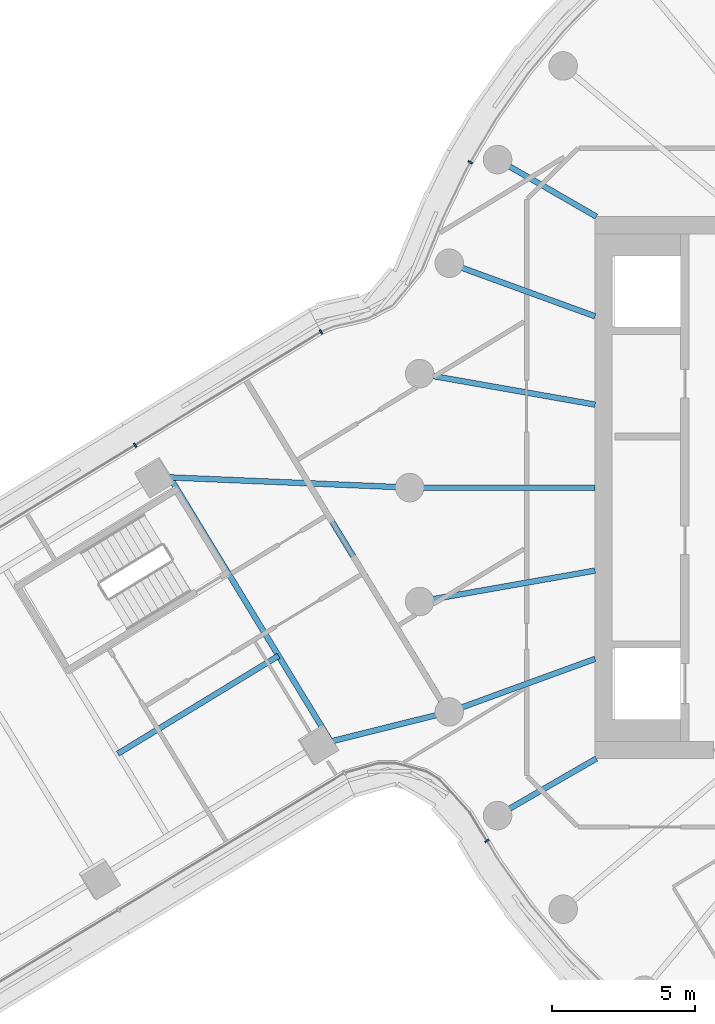
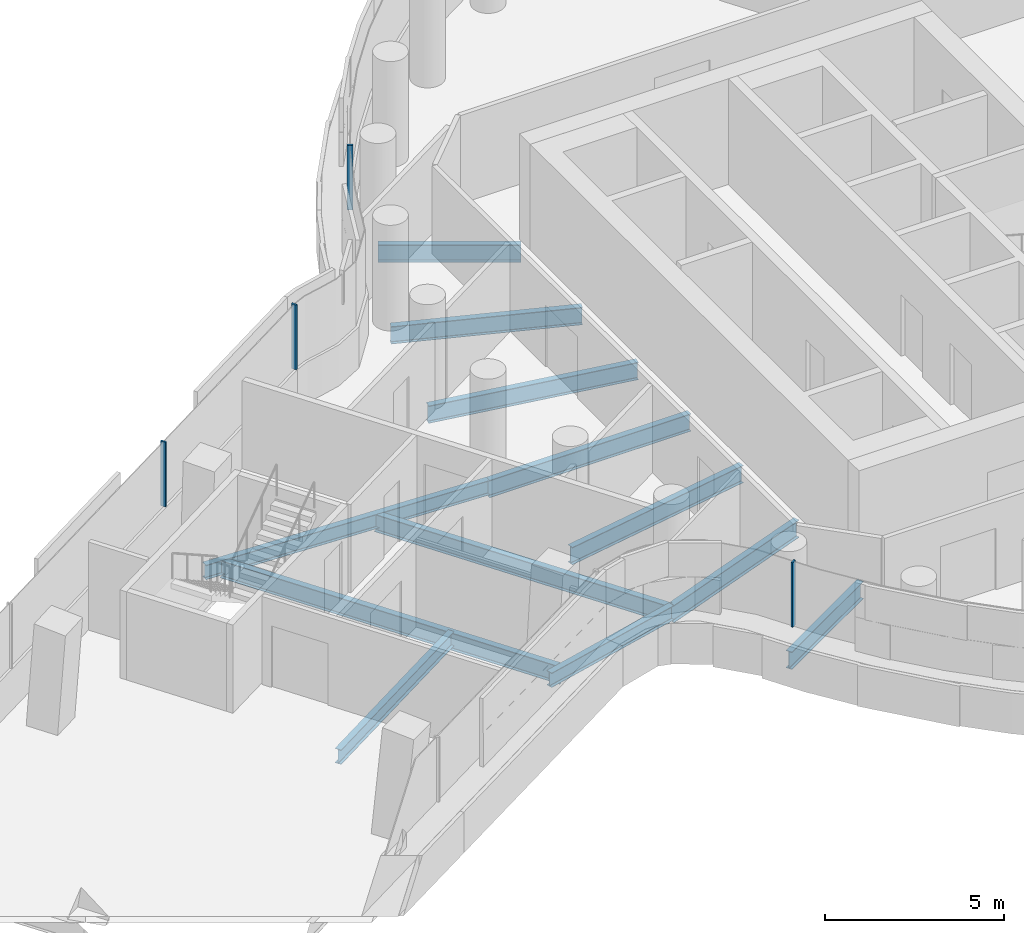
# One storey, part 8 of 35: 12 beams, 4 members, 3 elements without a shape of their own.
"""IFC4 building model written with IfcOpenShell, lengths in metres."""

from ifc_helpers import new_model, si_unit, direction, frame, origin, origin_2d, place, context, subcontext, project, spatial, rectangle, i_section, extrude, material, layer, layer_set, material_profile, profile_set, type_object, element, aggregate, save


model = new_model("IFC4")

# Units and contexts
model_context = context("Model", 3, precision=1e-05, world=origin(), true_north=direction((0.0, 1.0)))
body_context = subcontext(model_context, "Body", "Model", "MODEL_VIEW")
ifc_project = project(units=[si_unit("LENGTHUNIT", "METRE"), si_unit("AREAUNIT", "SQUARE_METRE"), si_unit("VOLUMEUNIT", "CUBIC_METRE"), si_unit("PLANEANGLEUNIT", "RADIAN"), si_unit("MASSUNIT", "GRAM", prefix="KILO")], contexts=[model_context])

# Site, building, storey
site_placement = place(None, origin())
site = spatial("IfcSite", under=ifc_project, at=site_placement, CompositionType="ELEMENT")
building_placement = place(site_placement, origin())
building = spatial("IfcBuilding", under=site, at=building_placement, Name="Tamarind Cross Interchange Tower", CompositionType="ELEMENT")
storey_placement = place(building_placement, frame((0.0, 0.0, 148.0)))
storey = spatial("IfcBuildingStorey", under=building, at=storey_placement, Name="L36", CompositionType="ELEMENT", Elevation=148.0)

# Beams
ifc_material_1 = material(Name="Steel Q355B", Category="steel")
ifc_material_profile_1 = material_profile(ifc_material_1, i_section(OverallWidth=0.198974609375, OverallDepth=0.49609375, WebThickness=0.009033203125, FlangeThickness=0.013916015625, FilletRadius=0.012939453125, at=origin_2d()), Name="HN 496x199x9x14")
ifc_profile_set_1 = profile_set([ifc_material_profile_1], Name="Steel Q355B")
beam_type_1 = type_object("IfcBeamType", Name="Composite beam HN 496x199x9x14 Q355B", PredefinedType="BEAM", material=ifc_profile_set_1)
beam_1_placement = place(storey_placement, frame((-31.94970703125, 0.3798828125, -0.387939453125), z_axis=(0.999100367182, -0.04240821025, 0.0), x_axis=(0.04240821025, 0.999100367182, 0.0)))
element("IfcBeam", 1, at=beam_1_placement, inside=storey, type_object=beam_type_1, Name="Beam W-linkem", PredefinedType="BEAM", context=body_context, shape_type="SweptSolid", body=[
    extrude(i_section(OverallWidth=0.198974609375, OverallDepth=0.49609375, WebThickness=0.009033203125, FlangeThickness=0.013916015625, FilletRadius=0.012939453125, at=origin_2d()), origin(), (0.0, 0.0, 1.0), 8.957763671875),
])
beam_2_placement = place(storey_placement, frame((-26.227783203125, -9.014892578125, -0.387939453125), z_axis=(0.9704016567, 0.241496634913, 0.0), x_axis=(-0.241496634913, 0.9704016567, 0.0)))
element("IfcBeam", 2, at=beam_2_placement, inside=storey, type_object=beam_type_1, Name="Beam W-linkep", PredefinedType="BEAM", context=body_context, shape_type="SweptSolid", body=[
    extrude(i_section(OverallWidth=0.198974609375, OverallDepth=0.49609375, WebThickness=0.009033203125, FlangeThickness=0.013916015625, FilletRadius=0.012939453125, at=origin_2d()), origin(), (0.0, 0.0, 1.0), 4.755615234375),
])
beam_3_placement = place(storey_placement, frame((-27.598876953125, -5.898193359375, -0.387939453125), z_axis=(-0.854069956179, -0.520158158595, 0.0), x_axis=(0.520158158595, -0.854069956179, 0.0)))
element("IfcBeam", 3, at=beam_3_placement, inside=storey, type_object=beam_type_1, Name="Beam W-stripp", PredefinedType="BEAM", context=body_context, shape_type="SweptSolid", body=[
    extrude(i_section(OverallWidth=0.198974609375, OverallDepth=0.49609375, WebThickness=0.009033203125, FlangeThickness=0.013916015625, FilletRadius=0.012939453125, at=origin_2d()), origin(), (0.0, 0.0, 1.0), 6.60009765625),
])
ifc_material_profile_2 = material_profile(ifc_material_1, i_section(OverallWidth=0.198974609375, OverallDepth=0.595947265625, WebThickness=0.010009765625, FlangeThickness=0.014892578125, FilletRadius=0.012939453125, at=origin_2d()), Name="HN 596x199x10x15")
ifc_profile_set_2 = profile_set([ifc_material_profile_2], Name="Steel Q355B")
beam_type_2 = type_object("IfcBeamType", Name="Composite beam HN 596x199x10x15 Q355B", PredefinedType="BEAM", material=ifc_profile_set_2)
beam_4_placement = place(storey_placement, frame((-19.918701171875, 11.5, -0.43798828125), z_axis=(0.866026010844, -0.49999894854, 0.0), x_axis=(0.49999894854, 0.866026010844, 0.0)))
element("IfcBeam", 4, at=beam_4_placement, inside=storey, type_object=beam_type_2, Name="Beam HH15", PredefinedType="BEAM", context=body_context, shape_type="SweptSolid", body=[
    extrude(i_section(OverallWidth=0.198974609375, OverallDepth=0.595947265625, WebThickness=0.010009765625, FlangeThickness=0.014892578125, FilletRadius=0.012939453125, at=origin_2d()), origin(), (0.0, 0.0, 1.0), 4.0),
])
beam_5_placement = place(storey_placement, frame((-21.613037109375, 7.866455078125, -0.43798828125), z_axis=(0.939701685589, -0.341995236956, 0.0), x_axis=(0.341995236956, 0.939701685589, 0.0)))
element("IfcBeam", 5, at=beam_5_placement, inside=storey, type_object=beam_type_2, Name="Beam HH16", PredefinedType="BEAM", context=body_context, shape_type="SweptSolid", body=[
    extrude(i_section(OverallWidth=0.198974609375, OverallDepth=0.595947265625, WebThickness=0.010009765625, FlangeThickness=0.014892578125, FilletRadius=0.012939453125, at=origin_2d()), origin(), (0.0, 0.0, 1.0), 5.441162109375),
])
beam_6_placement = place(storey_placement, frame((-22.650634765625, 3.993896484375, -0.43798828125), z_axis=(0.984809127561, -0.173640382036, 0.0), x_axis=(0.173640382036, 0.984809127561, 0.0)))
element("IfcBeam", 6, at=beam_6_placement, inside=storey, type_object=beam_type_2, Name="Beam HH17", PredefinedType="BEAM", context=body_context, shape_type="SweptSolid", body=[
    extrude(i_section(OverallWidth=0.198974609375, OverallDepth=0.595947265625, WebThickness=0.010009765625, FlangeThickness=0.014892578125, FilletRadius=0.012939453125, at=origin_2d()), origin(), (0.0, 0.0, 1.0), 6.24560546875),
])
beam_7_placement = place(storey_placement, frame((-23.0, 0.0, -0.43798828125), z_axis=(1.0, 0.0, 0.0), x_axis=(0.0, 1.0, 0.0)))
element("IfcBeam", 7, at=beam_7_placement, inside=storey, type_object=beam_type_2, Name="Beam HH18", PredefinedType="BEAM", context=body_context, shape_type="SweptSolid", body=[
    extrude(i_section(OverallWidth=0.198974609375, OverallDepth=0.595947265625, WebThickness=0.010009765625, FlangeThickness=0.014892578125, FilletRadius=0.012939453125, at=origin_2d()), origin(), (0.0, 0.0, 1.0), 6.5),
])
beam_8_placement = place(storey_placement, frame((-22.650634765625, -3.993896484375, -0.43798828125), z_axis=(0.984809127561, 0.173640382036, 0.0), x_axis=(-0.173640382036, 0.984809127561, 0.0)))
element("IfcBeam", 8, at=beam_8_placement, inside=storey, type_object=beam_type_2, Name="Beam HH19", PredefinedType="BEAM", context=body_context, shape_type="SweptSolid", body=[
    extrude(i_section(OverallWidth=0.198974609375, OverallDepth=0.595947265625, WebThickness=0.010009765625, FlangeThickness=0.014892578125, FilletRadius=0.012939453125, at=origin_2d()), origin(), (0.0, 0.0, 1.0), 6.24560546875),
])
beam_9_placement = place(storey_placement, frame((-21.613037109375, -7.866455078125, -0.43798828125), z_axis=(0.939701685589, 0.341995236956, 0.0), x_axis=(-0.341995236956, 0.939701685589, 0.0)))
element("IfcBeam", 9, at=beam_9_placement, inside=storey, type_object=beam_type_2, Name="Beam HH20", PredefinedType="BEAM", context=body_context, shape_type="SweptSolid", body=[
    extrude(i_section(OverallWidth=0.198974609375, OverallDepth=0.595947265625, WebThickness=0.010009765625, FlangeThickness=0.014892578125, FilletRadius=0.012939453125, at=origin_2d()), origin(), (0.0, 0.0, 1.0), 5.441162109375),
])
beam_10_placement = place(storey_placement, frame((-19.918701171875, -11.5, -0.43798828125), z_axis=(0.866026010844, 0.49999894854, 0.0), x_axis=(-0.49999894854, 0.866026010844, 0.0)))
element("IfcBeam", 10, at=beam_10_placement, inside=storey, type_object=beam_type_2, Name="Beam HH21", PredefinedType="BEAM", context=body_context, shape_type="SweptSolid", body=[
    extrude(i_section(OverallWidth=0.198974609375, OverallDepth=0.595947265625, WebThickness=0.010009765625, FlangeThickness=0.014892578125, FilletRadius=0.012939453125, at=origin_2d()), origin(), (0.0, 0.0, 1.0), 4.0),
])
ifc_material_profile_3 = material_profile(ifc_material_1, i_section(OverallWidth=0.199951171875, OverallDepth=0.60009765625, WebThickness=0.010986328125, FlangeThickness=0.01708984375, FilletRadius=0.012939453125, at=origin_2d()), Name="HN 600x200x11x17")
ifc_profile_set_3 = profile_set([ifc_material_profile_3], Name="Steel Q355B")
beam_type_3 = type_object("IfcBeamType", Name="Composite beam HN 600x200x11x17 Q355B", PredefinedType="BEAM", material=ifc_profile_set_3)
beam_11_placement = place(storey_placement, frame((-31.40869140625, 0.35693359375, -0.43994140625), z_axis=(0.520164857812, -0.854065876088, 0.0), x_axis=(0.854065876088, 0.520164857812, 0.0)))
element("IfcBeam", 11, at=beam_11_placement, inside=storey, type_object=beam_type_3, Name="Beam W-x298", PredefinedType="BEAM", context=body_context, shape_type="SweptSolid", body=[
    extrude(i_section(OverallWidth=0.199951171875, OverallDepth=0.60009765625, WebThickness=0.010986328125, FlangeThickness=0.01708984375, FilletRadius=0.012939453125, at=origin_2d()), origin(), (0.0, 0.0, 1.0), 10.839599609375),
])
beam_12_placement = place(storey_placement, frame((-26.540771484375, 0.150390625, -0.43994140625), z_axis=(0.520172735593, -0.854061078112, 0.0), x_axis=(0.854061078112, 0.520172735593, 0.0)))
element("IfcBeam", 12, at=beam_12_placement, inside=storey, type_object=beam_type_3, Name="Beam W-x258", PredefinedType="BEAM", context=body_context, shape_type="SweptSolid", body=[
    extrude(i_section(OverallWidth=0.199951171875, OverallDepth=0.60009765625, WebThickness=0.010986328125, FlangeThickness=0.01708984375, FilletRadius=0.012939453125, at=origin_2d()), origin(), (0.0, 0.0, 1.0), 9.398193359375),
])

# Curtain wall, member
ifc_material_2 = material(Name="Aluminium 6063-T6", Category="aluminium")
ifc_layer = layer(ifc_material_2, 0.159912109375)
ifc_layer_set = layer_set([ifc_layer], Name="Aluminium 6063-T6")
curtain_wall_type = type_object("IfcCurtainWallType", Name="Office curtain wall, 9.0 m bays", PredefinedType="NOTDEFINED", material=ifc_layer_set)
curtain_wall_1_placement = place(storey_placement, origin())
curtain_wall_1 = element("IfcCurtainWall", 13, at=curtain_wall_1_placement, inside=storey, type_object=curtain_wall_type, Name="CWS-L36-02", PredefinedType="NOTDEFINED")
ifc_material_profile_4 = material_profile(ifc_material_2, rectangle(XDim=0.06005859375, YDim=0.159912109375, at=origin_2d()), Name="Mullion CW1")
ifc_profile_set_4 = profile_set([ifc_material_profile_4], Name="Aluminium 6063-T6")
member_type = type_object("IfcMemberType", Name="Mullion CW1", PredefinedType="MULLION", material=ifc_profile_set_4)
member_1_placement = place(storey_placement, frame((-20.29296875, -12.38916015625, 1.39990234375), z_axis=(0.0, 0.0, 1.0), x_axis=(0.515577308909, -0.856843065292, 0.0)))
member_1 = element("IfcMember", 14, at=member_1_placement, type_object=member_type, Name="CWM-L36-02-01", PredefinedType="MULLION", context=body_context, shape_type="SweptSolid", body=[
    extrude(rectangle(XDim=0.06005859375, YDim=0.159912109375, at=origin_2d()), origin(), (0.0, 0.0, 1.0), 2.210205078125),
])
aggregate(curtain_wall_1, [member_1])

curtain_wall_2_placement = place(storey_placement, origin())
curtain_wall_2 = element("IfcCurtainWall", 15, at=curtain_wall_2_placement, inside=storey, type_object=curtain_wall_type, Name="CWS-L36-14", PredefinedType="NOTDEFINED")
member_2_placement = place(storey_placement, frame((-20.87646484375, 11.404541015625, 1.39990234375), z_axis=(0.0, 0.0, 1.0), x_axis=(-0.508183308752, -0.861248933065, 0.0)))
member_2 = element("IfcMember", 16, at=member_2_placement, type_object=member_type, Name="CWM-L36-14-02", PredefinedType="MULLION", context=body_context, shape_type="SweptSolid", body=[
    extrude(rectangle(XDim=0.06005859375, YDim=0.159912109375, at=origin_2d()), origin(), (0.0, 0.0, 1.0), 2.210205078125),
])
aggregate(curtain_wall_2, [member_2])

# Curtain wall, members
curtain_wall_3_placement = place(storey_placement, origin())
curtain_wall_3 = element("IfcCurtainWall", 17, at=curtain_wall_3_placement, inside=storey, type_object=curtain_wall_type, Name="CWS-L36-15", PredefinedType="NOTDEFINED")
member_3_placement = place(storey_placement, frame((-26.110595703125, 5.45849609375, 1.39990234375), z_axis=(0.0, 0.0, 1.0), x_axis=(-0.886252090619, -0.463203229558, 0.0)))
member_3 = element("IfcMember", 18, at=member_3_placement, type_object=member_type, Name="CWM-L36-15-00", PredefinedType="MULLION", context=body_context, shape_type="SweptSolid", body=[
    extrude(rectangle(XDim=0.06005859375, YDim=0.159912109375, at=origin_2d()), origin(), (0.0, 0.0, 1.0), 2.210205078125),
])
member_4_placement = place(storey_placement, frame((-32.626708984375, 1.489501953125, 1.39990234375), z_axis=(0.0, 0.0, 1.0), x_axis=(-0.854059616181, -0.520175135901, 0.0)))
member_4 = element("IfcMember", 19, at=member_4_placement, type_object=member_type, Name="CWM-L36-15-01", PredefinedType="MULLION", context=body_context, shape_type="SweptSolid", body=[
    extrude(rectangle(XDim=0.06005859375, YDim=0.159912109375, at=origin_2d()), origin(), (0.0, 0.0, 1.0), 2.210205078125),
])
aggregate(curtain_wall_3, [member_3, member_4])

save(model, "model.ifc")
